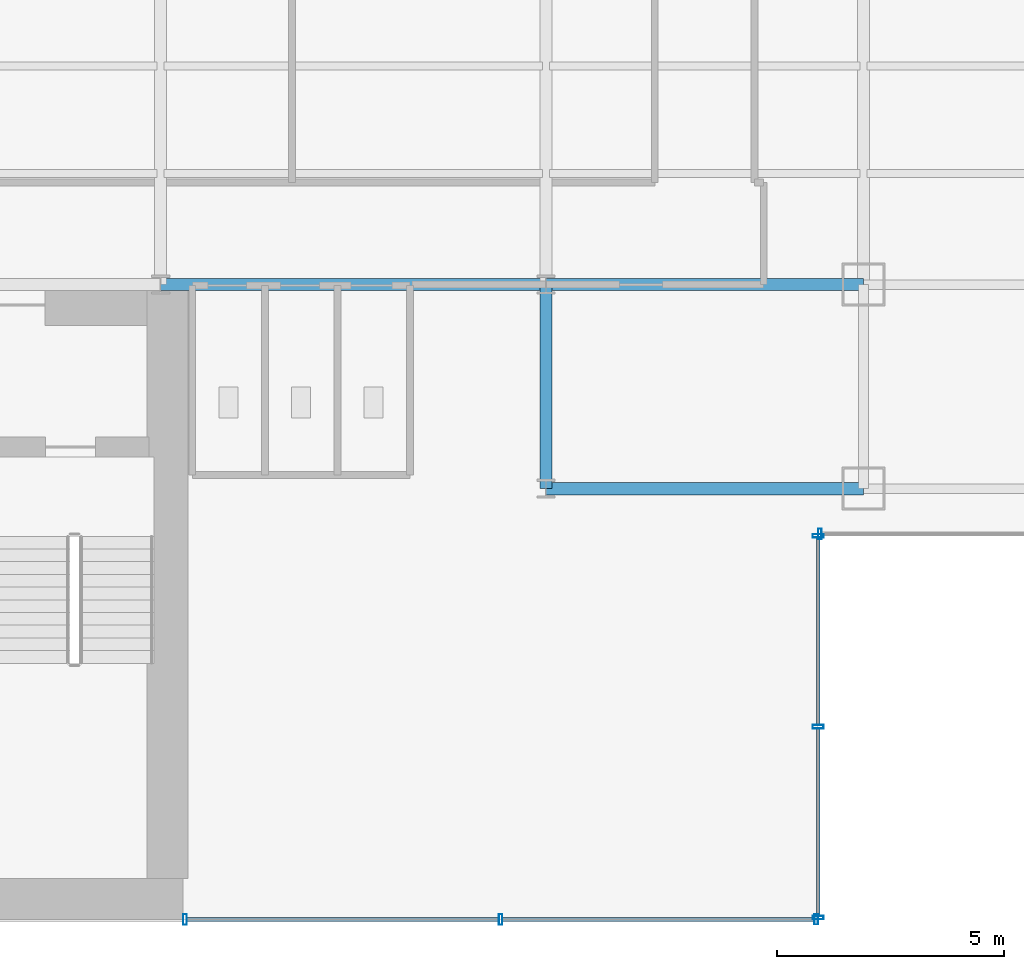
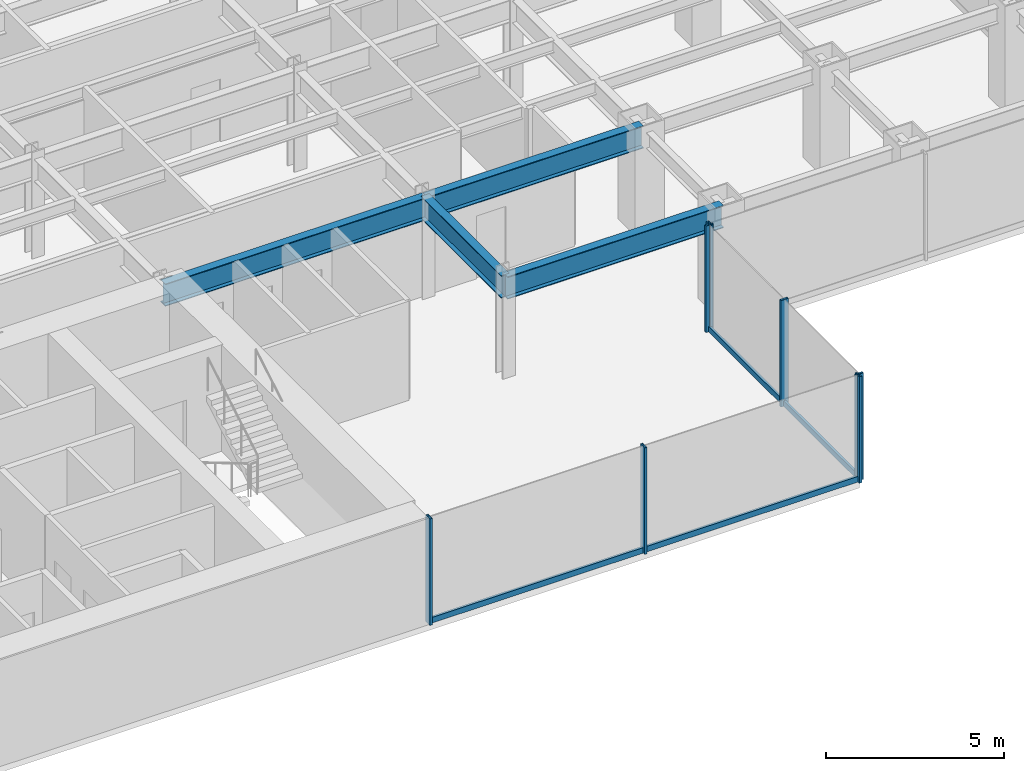
# One storey, part 6 of 22: 11 members, 4 beams, 3 elements without a shape of their own.
"""IFC4 building model written with IfcOpenShell, lengths in metres."""

import ifcopenshell
import ifcopenshell.guid

model = None  # the IFC model being written
_history = None  # IfcOwnerHistory: only IFC2X3 demands one
_inside = {}  # id of a spatial element -> (the spatial element, [elements in it])
_under = {}  # id of a project, library or spatial element -> (it, [spatial elements below it])
_declared = {}  # id of a project -> (the project, [libraries it declares])
_typed = {}  # id of a type object -> (the type object, [elements of that type])
_made_of = {}  # id of a material, layer set ... -> (it, [elements and type objects made of it])


def new_model(schema):
    """Start an empty IFC model of exactly this schema.

    Asked for "IFC4X3", IfcOpenShell would pick the latest addendum, in which some entities
    have other attributes; the version numbers below select the first issue.
    IFC2X3 requires an IfcOwnerHistory on every rooted entity: one is made here for all.
    """
    global model, _history
    if schema == "IFC4X3":
        model = ifcopenshell.file(schema_version=(4, 3, 0, 0))
    else:
        model = ifcopenshell.file(schema=schema)
    _inside.clear()
    _under.clear()
    _declared.clear()
    _typed.clear()
    _made_of.clear()
    _history = None
    if model.schema == "IFC2X3":
        org = make("IfcOrganization", Name="unknown")
        user = make(
            "IfcPersonAndOrganization",
            ThePerson=make("IfcPerson", FamilyName="unknown"),
            TheOrganization=org,
        )
        app = make(
            "IfcApplication",
            ApplicationDeveloper=org,
            Version="unknown",
            ApplicationFullName="unknown",
            ApplicationIdentifier="unknown",
        )
        _history = make(
            "IfcOwnerHistory",
            OwningUser=user,
            OwningApplication=app,
            ChangeAction="ADDED",
            CreationDate=0,
        )
    return model


def make(cls, **values):
    """One entity of the class cls with the attributes given. An attribute that is None is left unset."""
    return model.create_entity(
        cls, **{name: value for name, value in values.items() if value is not None}
    )


def rooted(cls, **values):
    """An entity with a GlobalId (a new one), such as an element, a storey or a relation."""
    return make(cls, GlobalId=ifcopenshell.guid.new(), OwnerHistory=_history, **values)


def si_unit(unit_type, name, prefix=None):
    """IfcSIUnit, for example si_unit("LENGTHUNIT", "METRE", prefix="MILLI")."""
    return make("IfcSIUnit", UnitType=unit_type, Prefix=prefix, Name=name)


def derived_unit(unit_type, elements):
    """IfcDerivedUnit: a product of units, each with its exponent."""
    return make(
        "IfcDerivedUnit",
        Elements=[
            make("IfcDerivedUnitElement", Unit=unit, Exponent=power)
            for unit, power in elements
        ],
        UnitType=unit_type,
    )


def assignment(units):
    """IfcUnitAssignment: the units of a project."""
    return None if units is None else make("IfcUnitAssignment", Units=units)


def point(xyz):
    """IfcCartesianPoint."""
    return None if xyz is None else make("IfcCartesianPoint", Coordinates=xyz)


def direction(xyz):
    """IfcDirection."""
    return None if xyz is None else make("IfcDirection", DirectionRatios=xyz)


def frame(location, z_axis=None, x_axis=None):
    """IfcAxis2Placement3D, a coordinate frame: its origin and axes. An axis left out is left unset."""
    return make(
        "IfcAxis2Placement3D",
        Location=point(location),
        Axis=direction(z_axis),
        RefDirection=direction(x_axis),
    )


def frame_2d(location, x_axis=None):
    """IfcAxis2Placement2D, a coordinate frame in the plane: its origin and x axis."""
    return make(
        "IfcAxis2Placement2D", Location=point(location), RefDirection=direction(x_axis)
    )


def origin():
    """The frame at (0, 0, 0) with its axes left unset."""
    return frame((0.0, 0.0, 0.0))


def origin_2d():
    """The frame at (0, 0) in the plane with its x axis left unset."""
    return frame_2d((0.0, 0.0))


def place(relative_to, where):
    """IfcLocalPlacement: puts the frame where relative to a parent placement (None: the world)."""
    return make(
        "IfcLocalPlacement", PlacementRelTo=relative_to, RelativePlacement=where
    )


def context(
    kind, dimensions, precision=None, world=None, true_north=None, identifier=None
):
    """IfcGeometricRepresentationContext, for example the 3D "Model" context."""
    return make(
        "IfcGeometricRepresentationContext",
        ContextIdentifier=identifier,
        ContextType=kind,
        CoordinateSpaceDimension=dimensions,
        Precision=precision,
        WorldCoordinateSystem=world,
        TrueNorth=true_north,
    )


def subcontext(parent, identifier, kind, view, scale=None):
    """IfcGeometricRepresentationSubContext, for example "Body" below "Model"."""
    return make(
        "IfcGeometricRepresentationSubContext",
        ContextIdentifier=identifier,
        ContextType=kind,
        ParentContext=parent,
        TargetScale=scale,
        TargetView=view,
    )


def project(units=None, contexts=None):
    """IfcProject with its units and contexts."""
    return rooted(
        "IfcProject",
        Name="project",
        RepresentationContexts=contexts,
        UnitsInContext=assignment(units),
    )


def spatial(cls, under=None, at=None, **own):
    """A site, building, storey or space (cls), placed at a placement, below another one or the project."""
    s = rooted(cls, ObjectPlacement=at, **own)
    if under is not None:
        _under.setdefault(under.id(), (under, []))[1].append(s)
    return s


def profile(cls, at=None, kind="AREA", **sizes):
    """A parametric profile (cls). Its sizes go by their IFC names, for example OverallWidth=200.0."""
    return make(cls, ProfileType=kind, Position=at, **sizes)


def hollow_rectangle(**sizes):
    """IfcRectangleHollowProfileDef."""
    return profile("IfcRectangleHollowProfileDef", **sizes)


def i_section(**sizes):
    """IfcIShapeProfileDef."""
    return profile("IfcIShapeProfileDef", **sizes)


def extrude(swept, where, along, depth):
    """IfcExtrudedAreaSolid: the profile swept, set in the frame where, extruded along a direction by depth."""
    return make(
        "IfcExtrudedAreaSolid",
        SweptArea=swept,
        Position=where,
        ExtrudedDirection=direction(along),
        Depth=depth,
    )


def shape(context_of_items, identifier, shape_type, items):
    """IfcShapeRepresentation: the items that make up one representation, for example the "Body"."""
    return make(
        "IfcShapeRepresentation",
        ContextOfItems=context_of_items,
        RepresentationIdentifier=identifier,
        RepresentationType=shape_type,
        Items=items,
    )


def source(mapping_origin, context_of_items, identifier, shape_type, items):
    """IfcRepresentationMap: a shape defined once, which mapped items show again and again."""
    return make(
        "IfcRepresentationMap",
        MappingOrigin=mapping_origin,
        MappedRepresentation=shape(context_of_items, identifier, shape_type, items),
    )


def transform(
    local_origin,
    x_axis=None,
    y_axis=None,
    z_axis=None,
    scale=None,
    scale2=None,
    scale3=None,
    uniform=True,
):
    """IfcCartesianTransformationOperator3D, or its non-uniform kind. x_axis, y_axis, z_axis: its Axis1, 2, 3."""
    if uniform:
        return make(
            "IfcCartesianTransformationOperator3D",
            Axis1=direction(x_axis),
            Axis2=direction(y_axis),
            LocalOrigin=point(local_origin),
            Scale=scale,
            Axis3=direction(z_axis),
        )
    return make(
        "IfcCartesianTransformationOperator3DnonUniform",
        Axis1=direction(x_axis),
        Axis2=direction(y_axis),
        LocalOrigin=point(local_origin),
        Scale=scale,
        Axis3=direction(z_axis),
        Scale2=scale2,
        Scale3=scale3,
    )


def mapped(mapping_source, mapping_target):
    """IfcMappedItem: shows the shape of a source again, moved by a transform."""
    return make(
        "IfcMappedItem", MappingSource=mapping_source, MappingTarget=mapping_target
    )


def material(Name=None, Category=None):
    """IfcMaterial."""
    return make("IfcMaterial", Name=Name, Category=Category)


def material_profile(
    of_material, cross_section, Name=None, Category=None, Priority=None
):
    """IfcMaterialProfile: a cross section and its material."""
    return make(
        "IfcMaterialProfile",
        Name=Name,
        Material=of_material,
        Profile=cross_section,
        Priority=Priority,
        Category=Category,
    )


def profile_set(profiles, Name=None, composite=None):
    """IfcMaterialProfileSet."""
    return make(
        "IfcMaterialProfileSet",
        Name=Name,
        MaterialProfiles=profiles,
        CompositeProfile=composite,
    )


def made_of(thing, what):
    """Note that an element or type object is made of a material, layer set ...; save() writes the relation."""
    if what is not None:
        _made_of.setdefault(what.id(), (what, []))[1].append(thing)
    return thing


def type_object(cls, material=None, **own):
    """A type object (cls), such as IfcWallType, which elements share."""
    return made_of(rooted(cls, **own), material)


def element(
    cls,
    number,
    at=None,
    inside=None,
    cuts=None,
    type_object=None,
    material=None,
    context=None,
    identifier="Body",
    shape_type=None,
    held_by="IfcProductDefinitionShape",
    body=None,
    shapes=None,
    **own,
):
    """One element of the class cls, such as IfcWall. Its Tag is "e" and its number.

    at: its placement. inside: the storey or other place that contains it. cuts: it is an
    opening in that element (IfcRelVoidsElement). A single representation is given by context,
    identifier, shape_type and body (its items); several are given by shapes. held_by: the class
    of the entity that holds the representations. save() writes the other relations.
    """
    e = rooted(cls, Tag="e%d" % number, ObjectPlacement=at, **own)
    if body is not None:
        shapes = [shape(context, identifier, shape_type, body)]
    if shapes is not None:
        e.Representation = make(held_by, Representations=shapes)
    if inside is not None:
        _inside.setdefault(inside.id(), (inside, []))[1].append(e)
    if cuts is not None:
        rooted(
            "IfcRelVoidsElement", RelatingBuildingElement=cuts, RelatedOpeningElement=e
        )
    if type_object is not None:
        _typed.setdefault(type_object.id(), (type_object, []))[1].append(e)
    return made_of(e, material)


def aggregate(whole, parts):
    """IfcRelAggregates: a whole, such as a stair, and the parts it consists of."""
    return rooted("IfcRelAggregates", RelatingObject=whole, RelatedObjects=parts)


def save(model, path):
    """Write the relations noted so far, then the file.

    IfcRelAggregates (storeys below a building ...), IfcRelContainedInSpatialStructure (elements
    in a storey), IfcRelDefinesByType, IfcRelAssociatesMaterial and IfcRelDeclares: one each for
    every whole, place, type object, material and project.
    """
    for whole, parts in _under.values():
        aggregate(whole, parts)
    for where, things in _inside.values():
        rooted(
            "IfcRelContainedInSpatialStructure",
            RelatedElements=things,
            RelatingStructure=where,
        )
    for kind, things in _typed.values():
        rooted("IfcRelDefinesByType", RelatedObjects=things, RelatingType=kind)
    for what, things in _made_of.values():
        rooted("IfcRelAssociatesMaterial", RelatedObjects=things, RelatingMaterial=what)
    for by, libraries in _declared.values():
        rooted("IfcRelDeclares", RelatingContext=by, RelatedDefinitions=libraries)
    model.write(path)


model = new_model("IFC4")

# Units and contexts
model_context = context("Model", 3, precision=1e-05, world=origin(), true_north=direction((0.0, 1.0)))
body_context = subcontext(model_context, "Body", "Model", "MODEL_VIEW")
ifc_project = project(units=[si_unit("LENGTHUNIT", "METRE"), si_unit("AREAUNIT", "SQUARE_METRE"), si_unit("VOLUMEUNIT", "CUBIC_METRE"), si_unit("PLANEANGLEUNIT", "RADIAN"), si_unit("MASSUNIT", "GRAM", prefix="KILO"), derived_unit("THERMALTRANSMITTANCEUNIT", [(si_unit("POWERUNIT", "WATT"), 1), (si_unit("LENGTHUNIT", "METRE"), -2), (si_unit("THERMODYNAMICTEMPERATUREUNIT", "KELVIN"), -1)])], contexts=[model_context])

# Site, building, storey
site_placement = place(None, origin())
site = spatial("IfcSite", under=ifc_project, at=site_placement, CompositionType="ELEMENT")
building_placement = place(site_placement, origin())
building = spatial("IfcBuilding", under=site, at=building_placement, Name="Skarnbrae Concourse Arena and Tower", CompositionType="ELEMENT")
storey_placement = place(building_placement, frame((0.0, 0.0, 32.5)))
storey = spatial("IfcBuildingStorey", under=building, at=storey_placement, Name="L06", CompositionType="ELEMENT", Elevation=32.5)

# Beams
ifc_material_1 = material(Name="Steel CSA G40.21 350W", Category="steel")
ifc_material_profile_1 = material_profile(ifc_material_1, i_section(OverallWidth=0.26806640625, OverallDepth=0.77001953125, WebThickness=0.015625, FlangeThickness=0.025390625, at=origin_2d()), Name="W760X196")
ifc_profile_set_1 = profile_set([ifc_material_profile_1], Name="Steel CSA G40.21 350W")
beam_type = type_object("IfcBeamType", Name="BM-GIRD-W760X196", PredefinedType="BEAM", material=ifc_profile_set_1)
shared_shape_1 = source(origin(), body_context, "Body", "SweptSolid", [
    extrude(i_section(OverallWidth=0.26806640625, OverallDepth=0.77001953125, WebThickness=0.015625, FlangeThickness=0.025390625, at=origin_2d()), origin(), (0.0, 0.0, 1.0), 7.0),
])
for number, where, z_axis, x_axis, name in (
    (1, (42.0, 9.5, 3.014892578125), (1.0, 0.0, 0.0), (0.0, 1.0, 0.0), "L06 Primary E-W girder Y9.5-2"),
    (2, (42.0, 14.0, 3.014892578125), (1.0, 0.0, 0.0), (0.0, 1.0, 0.0), "L06 Primary E-W girder Y14.0-7"),
):
    element("IfcBeam", number, at=place(storey_placement, frame(where, z_axis=z_axis, x_axis=x_axis)), inside=storey, type_object=beam_type, Name=name, PredefinedType="BEAM", context=body_context, shape_type="MappedRepresentation", body=[
        mapped(shared_shape_1, transform((0.0, 0.0, 0.0))),
    ])
shared_shape_2 = source(origin(), body_context, "Body", "SweptSolid", [
    extrude(i_section(OverallWidth=0.26806640625, OverallDepth=0.77001953125, WebThickness=0.015625, FlangeThickness=0.025390625, at=origin_2d()), origin(), (0.0, 0.0, 1.0), 8.5),
])
beam_1_placement = place(storey_placement, frame((33.5, 14.0, 3.014892578125), z_axis=(1.0, 0.0, 0.0), x_axis=(0.0, 1.0, 0.0)))
element("IfcBeam", 3, at=beam_1_placement, inside=storey, type_object=beam_type, Name="L06 Primary E-W girder Y14.0-6", PredefinedType="BEAM", context=body_context, shape_type="MappedRepresentation", body=[
    mapped(shared_shape_2, transform((0.0, 0.0, 0.0))),
])
shared_shape_3 = source(origin(), body_context, "Body", "SweptSolid", [
    extrude(i_section(OverallWidth=0.26806640625, OverallDepth=0.77001953125, WebThickness=0.015625, FlangeThickness=0.025390625, at=origin_2d()), origin(), (0.0, 0.0, 1.0), 4.5),
])
beam_2_placement = place(storey_placement, frame((42.0, 9.5, 3.014892578125), z_axis=(0.0, 1.0, 0.0), x_axis=(-1.0, 0.0, 0.0)))
element("IfcBeam", 4, at=beam_2_placement, inside=storey, type_object=beam_type, Name="L06 Primary N-S girder X42.0-1", PredefinedType="BEAM", context=body_context, shape_type="MappedRepresentation", body=[
    mapped(shared_shape_3, transform((0.0, 0.0, 0.0))),
])

# Curtain wall, members
ifc_material_2 = material(Name="Bronze anodised aluminium 6063-T6", Category="aluminium")
curtain_wall_type = type_object("IfcCurtainWallType", Name="CW-SYS-02-LOWZONE", PredefinedType="USERDEFINED", material=ifc_material_2)
curtain_wall_1_placement = place(storey_placement, origin())
curtain_wall_1 = element("IfcCurtainWall", 5, at=curtain_wall_1_placement, inside=storey, type_object=curtain_wall_type, Name="L06 Unitised curtain wall CW-L06-SE-SPINE", ObjectType="UNITISED CURTAIN WALL", PredefinedType="USERDEFINED")
ifc_material_profile_2 = material_profile(ifc_material_2, hollow_rectangle(XDim=0.080078125, YDim=0.239990234375, WallThickness=0.0048828125, at=origin_2d()), Name="ALU-MULL-80X240")
ifc_profile_set_2 = profile_set([ifc_material_profile_2], Name="Bronze anodised aluminium 6063-T6")
member_type_1 = type_object("IfcMemberType", Name="CWM-CW-02", PredefinedType="MULLION", material=ifc_profile_set_2)
shared_shape_4 = source(origin(), body_context, "Body", "SweptSolid", [
    extrude(hollow_rectangle(XDim=0.080078125, YDim=0.239990234375, WallThickness=0.0048828125, at=origin_2d()), origin(), (0.0, 0.0, 1.0), 3.64990234375),
])
member_1_placement = place(storey_placement, frame((34.0400390625, 0.0, 0.0), z_axis=(0.0, 0.0, 1.0), x_axis=(1.0, 0.0, 0.0)))
member_1 = element("IfcMember", 6, at=member_1_placement, type_object=member_type_1, Name="CW-L06-SE-SPINE Mullion 1", PredefinedType="MULLION", context=body_context, shape_type="MappedRepresentation", body=[
    mapped(shared_shape_4, transform((0.0, 0.0, 0.0))),
])
member_2_placement = place(storey_placement, frame((41.0, 0.0, 0.0), z_axis=(0.0, 0.0, 1.0), x_axis=(1.0, 0.0, 0.0)))
member_2 = element("IfcMember", 7, at=member_2_placement, type_object=member_type_1, Name="CW-L06-SE-SPINE Mullion 2", PredefinedType="MULLION", context=body_context, shape_type="MappedRepresentation", body=[
    mapped(shared_shape_4, transform((0.0, 0.0, 0.0))),
])
member_3_placement = place(storey_placement, frame((47.9599609375, 0.0, 0.0), z_axis=(0.0, 0.0, 1.0), x_axis=(1.0, 0.0, 0.0)))
member_3 = element("IfcMember", 8, at=member_3_placement, type_object=member_type_1, Name="CW-L06-SE-SPINE Mullion 3", PredefinedType="MULLION", context=body_context, shape_type="MappedRepresentation", body=[
    mapped(shared_shape_4, transform((0.0, 0.0, 0.0))),
])

curtain_wall_2_placement = place(storey_placement, origin())
curtain_wall_2 = element("IfcCurtainWall", 9, at=curtain_wall_2_placement, inside=storey, type_object=curtain_wall_type, Name="L06 Unitised curtain wall CW-L06-E02", ObjectType="UNITISED CURTAIN WALL", PredefinedType="USERDEFINED")
member_4_placement = place(storey_placement, frame((48.0, 0.0400390625, 0.0), z_axis=(0.0, 0.0, 1.0), x_axis=(0.0, 1.0, 0.0)))
member_4 = element("IfcMember", 10, at=member_4_placement, type_object=member_type_1, Name="CW-L06-E02 Mullion 1", PredefinedType="MULLION", context=body_context, shape_type="MappedRepresentation", body=[
    mapped(shared_shape_4, transform((0.0, 0.0, 0.0))),
])
member_5_placement = place(storey_placement, frame((48.0, 4.25, 0.0), z_axis=(0.0, 0.0, 1.0), x_axis=(0.0, 1.0, 0.0)))
member_5 = element("IfcMember", 11, at=member_5_placement, type_object=member_type_1, Name="CW-L06-E02 Mullion 2", PredefinedType="MULLION", context=body_context, shape_type="MappedRepresentation", body=[
    mapped(shared_shape_4, transform((0.0, 0.0, 0.0))),
])
member_6_placement = place(storey_placement, frame((48.0, 8.4599609375, 0.0), z_axis=(0.0, 0.0, 1.0), x_axis=(0.0, 1.0, 0.0)))
member_6 = element("IfcMember", 12, at=member_6_placement, type_object=member_type_1, Name="CW-L06-E02 Mullion 3", PredefinedType="MULLION", context=body_context, shape_type="MappedRepresentation", body=[
    mapped(shared_shape_4, transform((0.0, 0.0, 0.0))),
])

# Curtain wall, member
curtain_wall_3_placement = place(storey_placement, origin())
curtain_wall_3 = element("IfcCurtainWall", 13, at=curtain_wall_3_placement, inside=storey, type_object=curtain_wall_type, Name="L06 Unitised curtain wall CW-L06-E03", ObjectType="UNITISED CURTAIN WALL", PredefinedType="USERDEFINED")
member_7_placement = place(storey_placement, frame((48.0400390625, 8.5, 0.0), z_axis=(0.0, 0.0, 1.0), x_axis=(1.0, 0.0, 0.0)))
member_7 = element("IfcMember", 14, at=member_7_placement, type_object=member_type_1, Name="CW-L06-E03 Mullion 1", PredefinedType="MULLION", context=body_context, shape_type="MappedRepresentation", body=[
    mapped(shared_shape_4, transform((0.0, 0.0, 0.0))),
])
aggregate(curtain_wall_3, [member_7])

# Member
ifc_material_profile_3 = material_profile(ifc_material_2, hollow_rectangle(XDim=0.080078125, YDim=0.18994140625, WallThickness=0.0048828125, at=origin_2d()), Name="ALU-TRAN-80X190")
ifc_profile_set_3 = profile_set([ifc_material_profile_3], Name="Bronze anodised aluminium 6063-T6")
member_type_2 = type_object("IfcMemberType", Name="CWT-CW-02", PredefinedType="USERDEFINED", material=ifc_profile_set_3)
shared_shape_5 = source(origin(), body_context, "Body", "SweptSolid", [
    extrude(hollow_rectangle(XDim=0.080078125, YDim=0.18994140625, WallThickness=0.0048828125, at=origin_2d()), origin(), (0.0, 0.0, 1.0), 6.8798828125),
])
member_8_placement = place(storey_placement, frame((34.080078125, 0.0, 0.094970703125), z_axis=(1.0, 0.0, 0.0), x_axis=(0.0, 1.0, 0.0)))
member_8 = element("IfcMember", 15, at=member_8_placement, type_object=member_type_2, Name="CW-L06-SE-SPINE Transom 1", ObjectType="TRANSOM", PredefinedType="USERDEFINED", context=body_context, shape_type="MappedRepresentation", body=[
    mapped(shared_shape_5, transform((0.0, 0.0, 0.0))),
])

member_9_placement = place(storey_placement, frame((41.0400390625, 0.0, 0.094970703125), z_axis=(1.0, 0.0, 0.0), x_axis=(0.0, 1.0, 0.0)))
member_9 = element("IfcMember", 16, at=member_9_placement, type_object=member_type_2, Name="CW-L06-SE-SPINE Transom 2", ObjectType="TRANSOM", PredefinedType="USERDEFINED", context=body_context, shape_type="MappedRepresentation", body=[
    mapped(shared_shape_5, transform((0.0, 0.0, 0.0))),
])

aggregate(curtain_wall_1, [member_1, member_2, member_3, member_8, member_9])

shared_shape_6 = source(origin(), body_context, "Body", "SweptSolid", [
    extrude(hollow_rectangle(XDim=0.080078125, YDim=0.18994140625, WallThickness=0.0048828125, at=origin_2d()), origin(), (0.0, 0.0, 1.0), 4.1298828125),
])
member_10_placement = place(storey_placement, frame((48.0, 0.080078125, 0.094970703125), z_axis=(0.0, 1.0, 0.0), x_axis=(-1.0, 0.0, 0.0)))
member_10 = element("IfcMember", 17, at=member_10_placement, type_object=member_type_2, Name="CW-L06-E02 Transom 1", ObjectType="TRANSOM", PredefinedType="USERDEFINED", context=body_context, shape_type="MappedRepresentation", body=[
    mapped(shared_shape_6, transform((0.0, 0.0, 0.0))),
])

member_11_placement = place(storey_placement, frame((48.0, 4.2900390625, 0.094970703125), z_axis=(0.0, 1.0, 0.0), x_axis=(-1.0, 0.0, 0.0)))
member_11 = element("IfcMember", 18, at=member_11_placement, type_object=member_type_2, Name="CW-L06-E02 Transom 2", ObjectType="TRANSOM", PredefinedType="USERDEFINED", context=body_context, shape_type="MappedRepresentation", body=[
    mapped(shared_shape_6, transform((0.0, 0.0, 0.0))),
])

aggregate(curtain_wall_2, [member_4, member_5, member_6, member_10, member_11])

save(model, "model.ifc")
